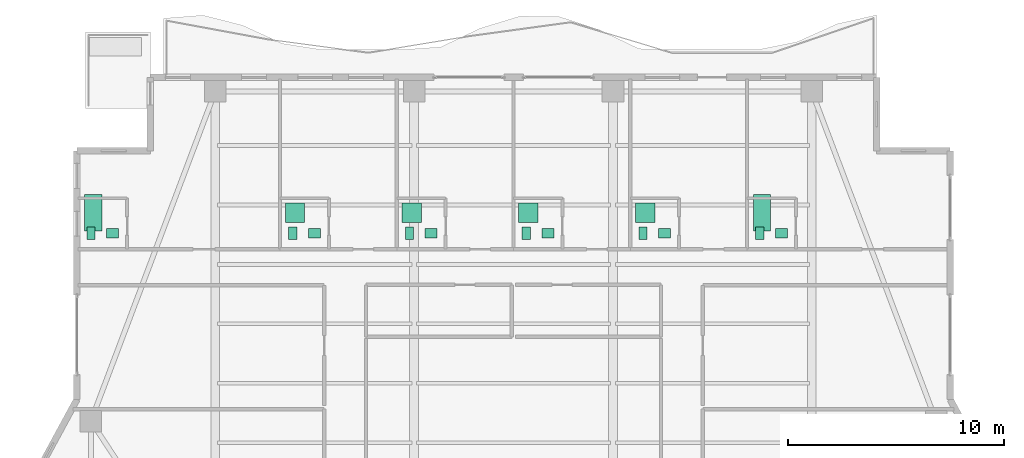
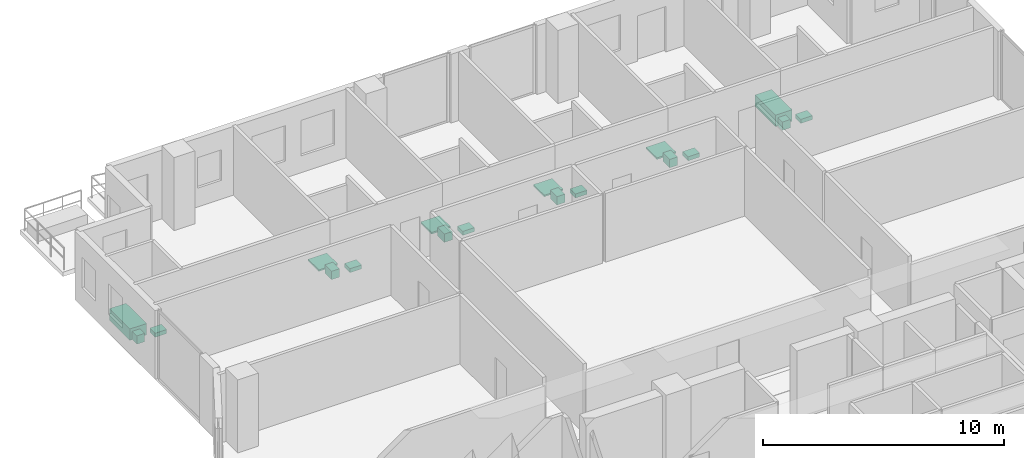
# One storey, part 24 of 24: 18 sanitary terminals.
"""IFC4 building model written with IfcOpenShell, lengths in metres."""

from ifc_helpers import new_model, si_unit, direction, frame, origin, origin_2d, place, context, subcontext, project, spatial, rectangle, extrude, material, type_object, element, save


model = new_model("IFC4")

# Units and contexts
model_context = context("Model", 3, precision=1e-05, world=origin(), true_north=direction((0.0, 1.0)))
body_context = subcontext(model_context, "Body", "Model", "MODEL_VIEW")
ifc_project = project(units=[si_unit("LENGTHUNIT", "METRE"), si_unit("AREAUNIT", "SQUARE_METRE"), si_unit("VOLUMEUNIT", "CUBIC_METRE"), si_unit("PLANEANGLEUNIT", "RADIAN"), si_unit("MASSUNIT", "GRAM", prefix="KILO")], contexts=[model_context])

# Site, building, storey
site_placement = place(None, origin())
site = spatial("IfcSite", under=ifc_project, at=site_placement, CompositionType="ELEMENT")
building_placement = place(site_placement, origin())
building = spatial("IfcBuilding", under=site, at=building_placement, Name="Zuhayl Quay Hotel", CompositionType="ELEMENT")
storey_placement = place(building_placement, frame((0.0, 0.0, 276.64990234375)))
storey = spatial("IfcBuildingStorey", under=building, at=storey_placement, Name="L70", CompositionType="ELEMENT", Elevation=276.64990234375)

# Sanitary terminals
ifc_material = material(Name="Vitreous Porcelain Sanitaryware")
sanitary_terminal_type_1 = type_object("IfcSanitaryTerminalType", Name="SAN_BASIN", PredefinedType="WASHHANDBASIN", material=ifc_material)
for number, where, z_axis, x_axis, name in (
    (1, (-18.550048828125, 31.7900390625, 0.0), (0.0, 0.0, 1.0), (1.0, 0.0, 0.0), "L70 Sanitary Fixture WASHHANDBASIN"),
    (2, (-9.2099609375, 31.7900390625, 0.0), (0.0, 0.0, 1.0), (1.0, 0.0, 0.0), "L70 Sanitary Fixture WASHHANDBASIN"),
    (3, (-3.81005859375, 31.7900390625, 0.0), (0.0, 0.0, 1.0), (1.0, 0.0, 0.0), "L70 Sanitary Fixture WASHHANDBASIN"),
    (4, (1.590087890625, 31.7900390625, 0.0), (0.0, 0.0, 1.0), (1.0, 0.0, 0.0), "L70 Sanitary Fixture WASHHANDBASIN"),
    (5, (6.989990234375, 31.7900390625, 0.0), (0.0, 0.0, 1.0), (1.0, 0.0, 0.0), "L70 Sanitary Fixture WASHHANDBASIN"),
    (6, (12.389892578125, 31.7900390625, 0.0), (0.0, 0.0, 1.0), (1.0, 0.0, 0.0), "L70 Sanitary Fixture WASHHANDBASIN"),
):
    element("IfcSanitaryTerminal", number, at=place(storey_placement, frame(where, z_axis=z_axis, x_axis=x_axis)), inside=storey, type_object=sanitary_terminal_type_1, Name=name, PredefinedType="WASHHANDBASIN", context=body_context, shape_type="SweptSolid", body=[
        extrude(rectangle(XDim=0.550048828125, YDim=0.449951171875, at=origin_2d()), origin(), (0.0, 0.0, 1.0), 0.199951171875),
    ])
sanitary_terminal_type_2 = type_object("IfcSanitaryTerminalType", Name="SAN_BATH", PredefinedType="BATH", material=ifc_material)
for number, where, z_axis, x_axis, name in (
    (7, (-19.449951171875, 32.739990234375, 0.0), (0.0, 0.0, 1.0), (1.0, 0.0, 0.0), "L70 Sanitary Fixture BATH"),
    (8, (11.489990234375, 32.739990234375, 0.0), (0.0, 0.0, 1.0), (1.0, 0.0, 0.0), "L70 Sanitary Fixture BATH"),
):
    element("IfcSanitaryTerminal", number, at=place(storey_placement, frame(where, z_axis=z_axis, x_axis=x_axis)), inside=storey, type_object=sanitary_terminal_type_2, Name=name, PredefinedType="BATH", context=body_context, shape_type="SweptSolid", body=[
        extrude(rectangle(XDim=0.800048828125, YDim=1.699951171875, at=origin_2d()), origin(), (0.0, 0.0, 1.0), 0.580078125),
    ])
sanitary_terminal_type_3 = type_object("IfcSanitaryTerminalType", Name="SAN_SHOWER", PredefinedType="SHOWER", material=ifc_material)
for number, where, z_axis, x_axis, name in (
    (9, (-10.110107421875, 32.739990234375, 0.0), (0.0, 0.0, 1.0), (1.0, 0.0, 0.0), "L70 Sanitary Fixture SHOWER"),
    (10, (-4.7099609375, 32.739990234375, 0.0), (0.0, 0.0, 1.0), (1.0, 0.0, 0.0), "L70 Sanitary Fixture SHOWER"),
    (11, (0.68994140625, 32.739990234375, 0.0), (0.0, 0.0, 1.0), (1.0, 0.0, 0.0), "L70 Sanitary Fixture SHOWER"),
    (12, (6.090087890625, 32.739990234375, 0.0), (0.0, 0.0, 1.0), (1.0, 0.0, 0.0), "L70 Sanitary Fixture SHOWER"),
):
    element("IfcSanitaryTerminal", number, at=place(storey_placement, frame(where, z_axis=z_axis, x_axis=x_axis)), inside=storey, type_object=sanitary_terminal_type_3, Name=name, PredefinedType="SHOWER", context=body_context, shape_type="SweptSolid", body=[
        extrude(rectangle(XDim=0.89990234375, YDim=0.89990234375, at=origin_2d()), origin(), (0.0, 0.0, 1.0), 0.080078125),
    ])
sanitary_terminal_type_4 = type_object("IfcSanitaryTerminalType", Name="SAN_WC", PredefinedType="TOILETPAN", material=ifc_material)
for number, where, z_axis, x_axis, name in (
    (13, (-19.550048828125, 31.7900390625, 0.000244140625), (0.0, 0.0, 1.0), (1.0, 0.0, 0.0), "L70 Sanitary Fixture TOILETPAN"),
    (14, (-10.2099609375, 31.7900390625, 0.000244140625), (0.0, 0.0, 1.0), (1.0, 0.0, 0.0), "L70 Sanitary Fixture TOILETPAN"),
    (15, (-4.81005859375, 31.7900390625, 0.000244140625), (0.0, 0.0, 1.0), (1.0, 0.0, 0.0), "L70 Sanitary Fixture TOILETPAN"),
    (16, (0.590087890625, 31.7900390625, 0.000244140625), (0.0, 0.0, 1.0), (1.0, 0.0, 0.0), "L70 Sanitary Fixture TOILETPAN"),
    (17, (5.989990234375, 31.7900390625, 0.000244140625), (0.0, 0.0, 1.0), (1.0, 0.0, 0.0), "L70 Sanitary Fixture TOILETPAN"),
    (18, (11.389892578125, 31.7900390625, 0.000244140625), (0.0, 0.0, 1.0), (1.0, 0.0, 0.0), "L70 Sanitary Fixture TOILETPAN"),
):
    element("IfcSanitaryTerminal", number, at=place(storey_placement, frame(where, z_axis=z_axis, x_axis=x_axis)), inside=storey, type_object=sanitary_terminal_type_4, Name=name, PredefinedType="TOILETPAN", context=body_context, shape_type="SweptSolid", body=[
        extrude(rectangle(XDim=0.3798828125, YDim=0.56005859375, at=origin_2d()), origin(), (0.0, 0.0, 1.0), 0.419921875),
    ])

save(model, "model.ifc")
